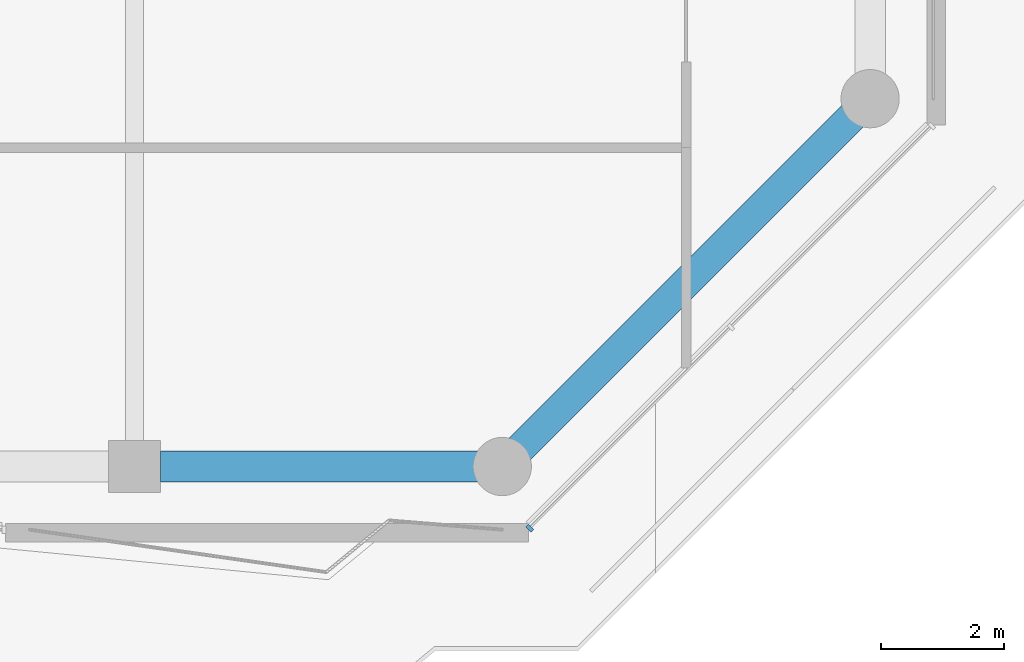
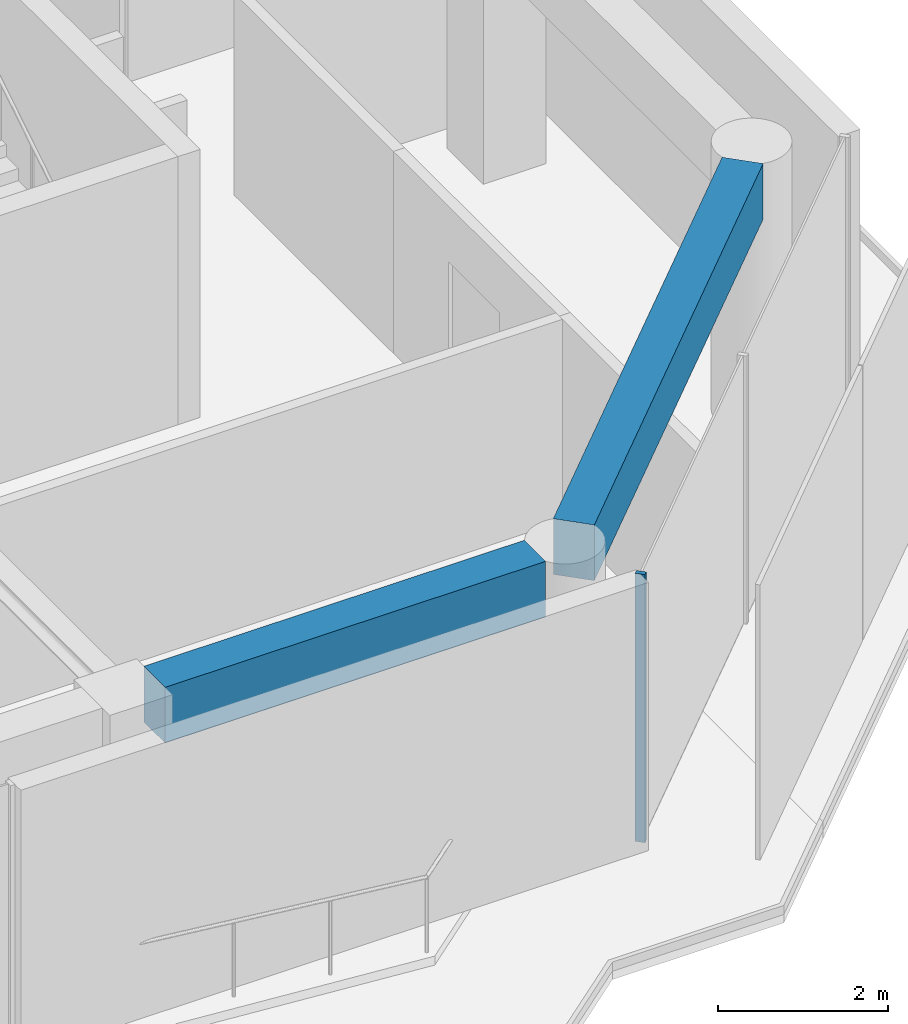
# One storey, part 3 of 25: 2 beams, 1 member, 1 element without a shape of its own.
"""IFC4 building model written with IfcOpenShell, lengths in metres."""

from ifc_helpers import new_model, si_unit, direction, frame, origin, origin_2d, place, context, subcontext, project, spatial, rectangle, extrude, material, layer, layer_set, material_profile, profile_set, type_object, element, aggregate, save


model = new_model("IFC4")

# Units and contexts
model_context = context("Model", 3, precision=1e-05, world=origin(), true_north=direction((0.0, 1.0)))
body_context = subcontext(model_context, "Body", "Model", "MODEL_VIEW")
ifc_project = project(units=[si_unit("LENGTHUNIT", "METRE"), si_unit("AREAUNIT", "SQUARE_METRE"), si_unit("VOLUMEUNIT", "CUBIC_METRE"), si_unit("PLANEANGLEUNIT", "RADIAN"), si_unit("MASSUNIT", "GRAM", prefix="KILO")], contexts=[model_context])

# Site, building, storey
site_placement = place(None, origin())
site = spatial("IfcSite", under=ifc_project, at=site_placement, CompositionType="ELEMENT")
building_placement = place(site_placement, origin())
building = spatial("IfcBuilding", under=site, at=building_placement, Name="Welwitschia Terrace Campus", CompositionType="ELEMENT")
storey_placement = place(building_placement, frame((0.0, 0.0, 264.199951171875)))
storey = spatial("IfcBuildingStorey", under=building, at=storey_placement, Name="L58", CompositionType="ELEMENT", Elevation=264.199951171875)

# Curtain wall, member
ifc_material_1 = material(Name="Bronze anodised aluminium", Category="aluminium")
ifc_layer = layer(ifc_material_1, 0.1201171875)
ifc_layer_set = layer_set([ifc_layer], Name="Bronze anodised aluminium")
curtain_wall_type = type_object("IfcCurtainWallType", Name="Curtain wall CW2 tower 6000", PredefinedType="NOTDEFINED", material=ifc_layer_set)
curtain_wall_placement = place(storey_placement, origin())
curtain_wall = element("IfcCurtainWall", 1, at=curtain_wall_placement, inside=storey, type_object=curtain_wall_type, Name="CW L58.6.0", PredefinedType="NOTDEFINED")
ifc_material_2 = material(Name="Bronze anodised aluminium", Category="aluminium")
ifc_material_profile_1 = material_profile(ifc_material_2, rectangle(XDim=0.1201171875, YDim=0.06005859375, at=origin_2d()))
ifc_profile_set_1 = profile_set([ifc_material_profile_1], Name="Bronze anodised aluminium")
member_type = type_object("IfcMemberType", Name="Mullion 60x120", PredefinedType="MULLION", material=ifc_profile_set_1)
member_placement = place(storey_placement, frame((24.44775390625, -5.0087890625, 0.0), z_axis=(0.0, 0.0, 1.0), x_axis=(-0.707106781187, 0.707106781187, 0.0)))
member = element("IfcMember", 2, at=member_placement, type_object=member_type, Name="Mullion L58.6.0.0", PredefinedType="MULLION", context=body_context, shape_type="SweptSolid", body=[
    extrude(rectangle(XDim=0.1201171875, YDim=0.06005859375, at=origin_2d()), origin(), (0.0, 0.0, 1.0), 3.85009765625),
])
aggregate(curtain_wall, [member])

# Beams
ifc_material_3 = material(Name="Concrete C50/60", Category="concrete")
ifc_material_profile_2 = material_profile(ifc_material_3, rectangle(XDim=0.5, YDim=0.800048828125, at=origin_2d()))
ifc_profile_set_2 = profile_set([ifc_material_profile_2], Name="Concrete C50/60")
beam_type = type_object("IfcBeamType", Name="Ring spandrel 500x800", PredefinedType="SPANDREL", material=ifc_profile_set_2)
beam_1_placement = place(storey_placement, frame((18.425537109375, -4.0, 3.449951171875), z_axis=(1.0, 0.0, 0.0), x_axis=(0.0, 1.0, 0.0)))
element("IfcBeam", 3, at=beam_1_placement, inside=storey, type_object=beam_type, Name="Spandrel SP4", PredefinedType="SPANDREL", context=body_context, shape_type="SweptSolid", body=[
    extrude(rectangle(XDim=0.5, YDim=0.800048828125, at=origin_2d()), origin(), (0.0, 0.0, 1.0), 5.169921875),
])
beam_2_placement = place(storey_placement, frame((24.285888671875, -3.714111328125, 3.449951171875), z_axis=(0.707106781187, 0.707106781187, 0.0), x_axis=(-0.707106781187, 0.707106781187, 0.0)))
element("IfcBeam", 4, at=beam_2_placement, inside=storey, type_object=beam_type, Name="Spandrel SP4", PredefinedType="SPANDREL", context=body_context, shape_type="SweptSolid", body=[
    extrude(rectangle(XDim=0.5, YDim=0.800048828125, at=origin_2d()), origin(), (0.0, 0.0, 1.0), 7.6767578125),
])

save(model, "model.ifc")
